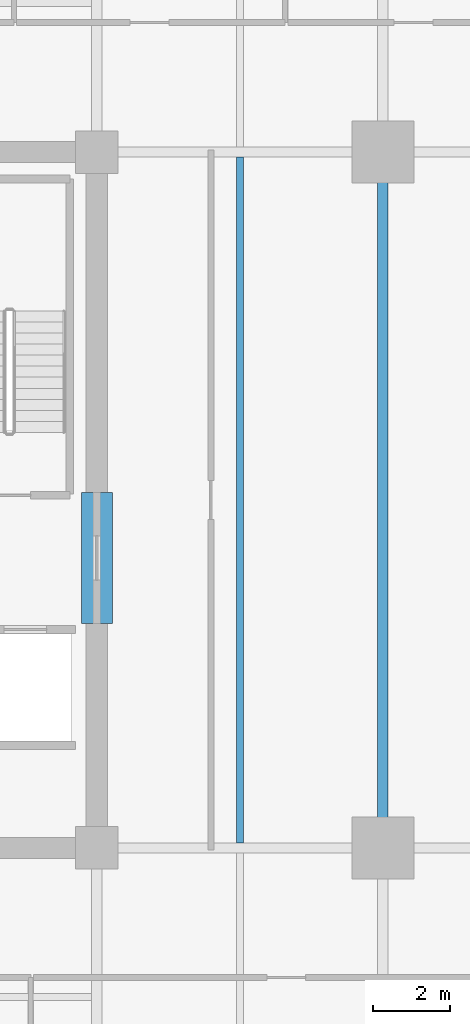
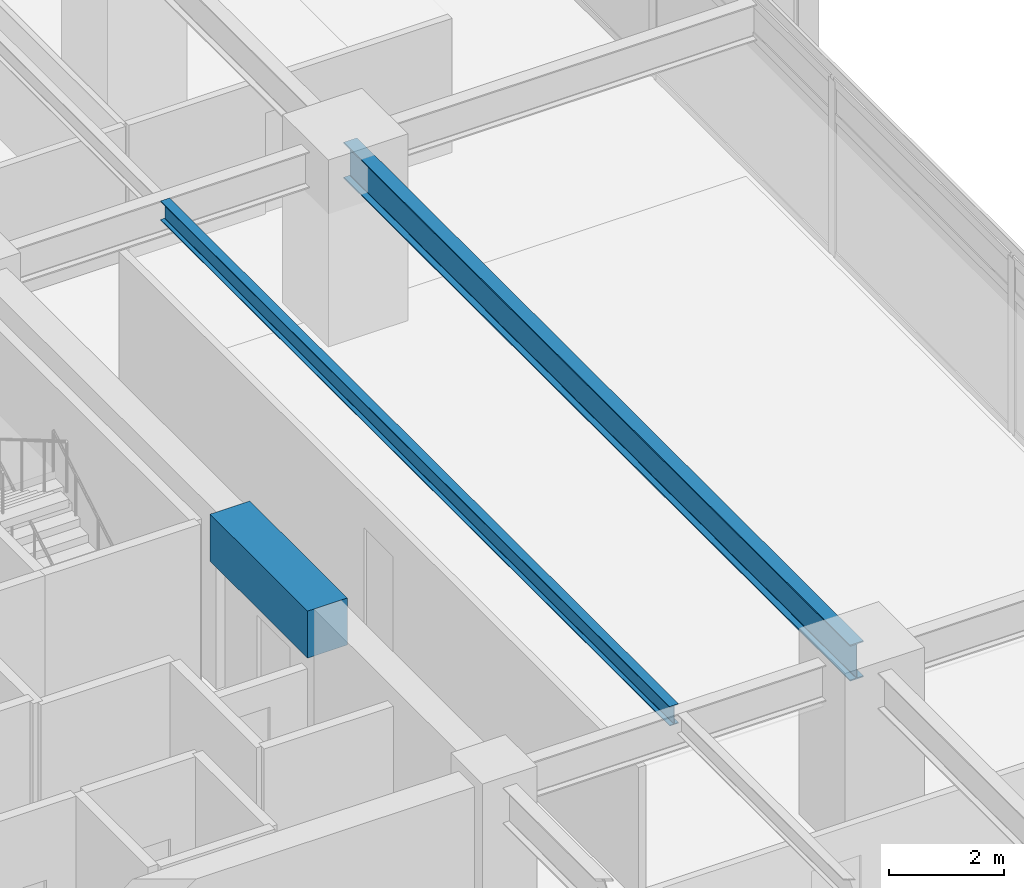
# One storey, part 7 of 22: 3 beams.
"""IFC4 building model written with IfcOpenShell, lengths in metres."""

from ifc_helpers import new_model, si_unit, direction, frame, origin, origin_2d, place, context, subcontext, project, spatial, rectangle, i_section, extrude, material, material_profile, profile_set, type_object, element, save


model = new_model("IFC4")

# Units and contexts
model_context = context("Model", 3, precision=1e-05, world=origin(), true_north=direction((0.0, 1.0)))
body_context = subcontext(model_context, "Body", "Model", "MODEL_VIEW")
ifc_project = project(units=[si_unit("LENGTHUNIT", "METRE"), si_unit("AREAUNIT", "SQUARE_METRE"), si_unit("VOLUMEUNIT", "CUBIC_METRE"), si_unit("PLANEANGLEUNIT", "RADIAN"), si_unit("MASSUNIT", "GRAM", prefix="KILO")], contexts=[model_context])

# Site, building, storey
site_placement = place(None, origin())
site = spatial("IfcSite", under=ifc_project, at=site_placement, CompositionType="ELEMENT")
building_placement = place(site_placement, origin())
building = spatial("IfcBuilding", under=site, at=building_placement, Name="Kovane Verandah Tower", CompositionType="ELEMENT")
storey_placement = place(building_placement, frame((0.0, 0.0, 156.39990234375)))
storey = spatial("IfcBuildingStorey", under=building, at=storey_placement, Name="L36", CompositionType="ELEMENT", Elevation=156.39990234375)

# Beams
ifc_material_1 = material(Name="Concrete C60/75", Category="concrete")
ifc_material_profile_1 = material_profile(ifc_material_1, rectangle(XDim=0.800048828125, YDim=1.0, at=origin_2d()), Name="RCB800x1000")
ifc_profile_set_1 = profile_set([ifc_material_profile_1], Name="Concrete C60/75")
beam_type_1 = type_object("IfcBeamType", Name="BM-LINTEL-800x1000", PredefinedType="LINTEL", material=ifc_profile_set_1)
beam_1_placement = place(storey_placement, frame((51.0, 24.300048828125, 3.275146484375), z_axis=(0.0, 1.0, 0.0), x_axis=(-1.0, 0.0, 0.0)))
element("IfcBeam", 1, at=beam_1_placement, inside=storey, type_object=beam_type_1, Name="L36 Core Coupling Lintel CL-E", PredefinedType="LINTEL", context=body_context, shape_type="SweptSolid", body=[
    extrude(rectangle(XDim=0.800048828125, YDim=1.0, at=origin_2d()), origin(), (0.0, 0.0, 1.0), 3.39990234375),
])
ifc_material_2 = material(Name="Steel S355", Category="steel")
ifc_material_profile_2 = material_profile(ifc_material_2, i_section(OverallWidth=0.26806640625, OverallDepth=0.769775390625, WebThickness=0.015625, FlangeThickness=0.025390625, FilletRadius=0.0166015625, at=origin_2d()), Name="UB762x267x197")
ifc_profile_set_2 = profile_set([ifc_material_profile_2], Name="Steel S355")
beam_type_2 = type_object("IfcBeamType", Name="BM-UB762x197", PredefinedType="BEAM", material=ifc_profile_set_2)
beam_2_placement = place(storey_placement, frame((58.39990234375, 18.679931640625, 3.39013671875), z_axis=(0.0, 1.0, 0.0), x_axis=(-1.0, 0.0, 0.0)))
element("IfcBeam", 2, at=beam_2_placement, inside=storey, type_object=beam_type_2, Name="L36 Primary Tower Girder G-RE2", PredefinedType="BEAM", context=body_context, shape_type="SweptSolid", body=[
    extrude(i_section(OverallWidth=0.26806640625, OverallDepth=0.769775390625, WebThickness=0.015625, FlangeThickness=0.025390625, FilletRadius=0.0166015625, at=origin_2d()), origin(), (0.0, 0.0, 1.0), 17.64013671875),
])
ifc_material_profile_3 = material_profile(ifc_material_2, i_section(OverallWidth=0.179443359375, OverallDepth=0.412841796875, WebThickness=0.009521484375, FlangeThickness=0.01611328125, FilletRadius=0.01025390625, at=origin_2d()), Name="UB406x178x74")
ifc_profile_set_3 = profile_set([ifc_material_profile_3], Name="Steel S355")
beam_type_3 = type_object("IfcBeamType", Name="JST-UB406x74", PredefinedType="JOIST", material=ifc_profile_set_3)
beam_3_placement = place(storey_placement, frame((54.699951171875, 18.632080078125, 3.568603515625), z_axis=(0.0, 1.0, 0.0), x_axis=(-1.0, 0.0, 0.0)))
element("IfcBeam", 3, at=beam_3_placement, inside=storey, type_object=beam_type_3, Name="L36 Secondary Composite Joist J-E1", PredefinedType="JOIST", context=body_context, shape_type="SweptSolid", body=[
    extrude(i_section(OverallWidth=0.179443359375, OverallDepth=0.412841796875, WebThickness=0.009521484375, FlangeThickness=0.01611328125, FilletRadius=0.01025390625, at=origin_2d()), origin(), (0.0, 0.0, 1.0), 17.73583984375),
])

save(model, "model.ifc")
